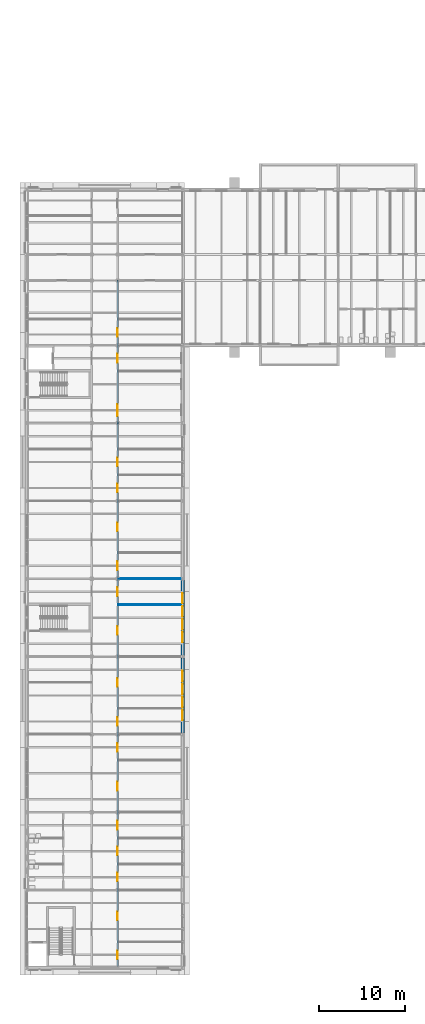
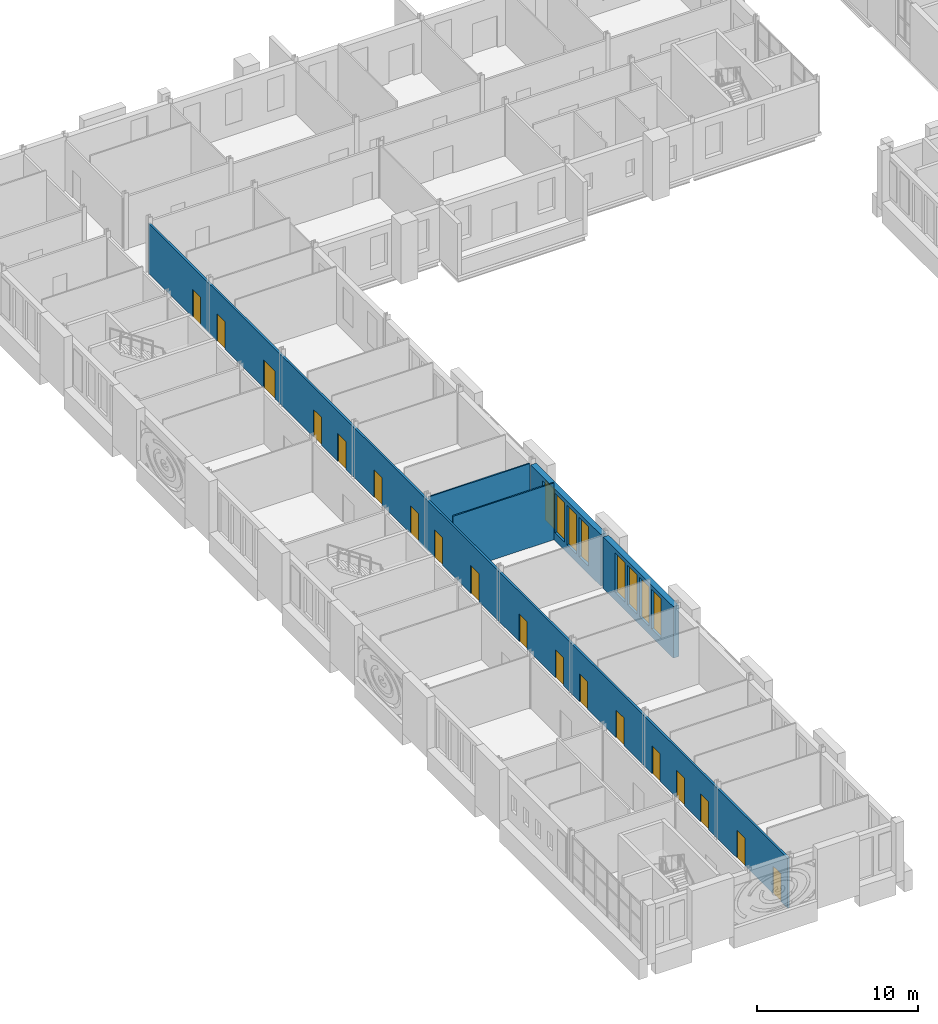
# One storey, part 74 of 131: 18 doors, 8 windows, 5 walls, 26 openings.
"""IFC4 building model written with IfcOpenShell, lengths in metres."""

from ifc_helpers import new_model, si_unit, direction, frame, frame_2d, origin, place, context, subcontext, project, spatial, rectangle, extrude, material, layer, layer_set, type_object, element, fill, save


model = new_model("IFC4")

# Units and contexts
model_context = context("Model", 3, precision=1e-05, world=origin(), true_north=direction((0.0, 1.0)))
body_context = subcontext(model_context, "Body", "Model", "MODEL_VIEW")
ifc_project = project(units=[si_unit("LENGTHUNIT", "METRE"), si_unit("AREAUNIT", "SQUARE_METRE"), si_unit("VOLUMEUNIT", "CUBIC_METRE"), si_unit("PLANEANGLEUNIT", "RADIAN"), si_unit("MASSUNIT", "GRAM", prefix="KILO")], contexts=[model_context])

# Site, building, storey
site_placement = place(None, origin())
site = spatial("IfcSite", under=ifc_project, at=site_placement, CompositionType="ELEMENT")
building_placement = place(site_placement, origin())
building = spatial("IfcBuilding", under=site, at=building_placement, Name="Golden Quay Civic Hall", CompositionType="ELEMENT")
storey_placement = place(building_placement, frame((0.0, 0.0, 9.89990234375)))
storey = spatial("IfcBuildingStorey", under=building, at=storey_placement, Name="L02", CompositionType="ELEMENT", Elevation=9.89990234375)

# Walls
ifc_material_1 = material(Name="Plasterboard on steel studs", Category="steel")
ifc_layer_1 = layer(ifc_material_1, 0.10009765625)
ifc_layer_set_1 = layer_set([ifc_layer_1], Name="Partition 100 stud")
wall_type_1 = type_object("IfcWallType", Name="Partition 100 stud", PredefinedType="PARTITIONING", material=ifc_layer_set_1)
wall_1_placement = place(storey_placement, frame((10.574951171875, 33.0, 0.0), z_axis=(0.0, 0.0, 1.0), x_axis=(1.0, 0.0, 0.0)))
element("IfcWall", 1, at=wall_1_placement, inside=storey, type_object=wall_type_1, Name="Partition L02-017", PredefinedType="PARTITIONING", context=body_context, shape_type="SweptSolid", body=[
    extrude(rectangle(XDim=7.22509765625, YDim=0.10009765625, at=frame_2d((3.612548828125, 0.0))), origin(), (0.0, 0.0, 1.0), 4.300048828125),
])
wall_2_placement = place(storey_placement, frame((10.574951171875, 36.0, 0.0), z_axis=(0.0, 0.0, 1.0), x_axis=(1.0, 0.0, 0.0)))
element("IfcWall", 2, at=wall_2_placement, inside=storey, type_object=wall_type_1, Name="Partition L02-018", PredefinedType="PARTITIONING", context=body_context, shape_type="SweptSolid", body=[
    extrude(rectangle(XDim=7.22509765625, YDim=0.10009765625, at=frame_2d((3.612548828125, 0.0))), origin(), (0.0, 0.0, 1.0), 3.9501953125),
])

# Wall, openings, doors
ifc_material_2 = material(Name="Plasterboard on steel studs", Category="steel")
ifc_layer_2 = layer(ifc_material_2, 0.14990234375)
ifc_layer_set_2 = layer_set([ifc_layer_2], Name="Partition 150 stud fire EI 60")
wall_type_2 = type_object("IfcWallType", Name="Partition 150 stud fire EI 60", PredefinedType="PARTITIONING", material=ifc_layer_set_2)
wall_3_placement = place(storey_placement, frame((10.5, -8.800048828125, 0.0), z_axis=(0.0, 0.0, 1.0), x_axis=(0.0, 1.0, 0.0)))
wall_3 = element("IfcWall", 3, at=wall_3_placement, inside=storey, type_object=wall_type_2, Name="Partition L02-028", PredefinedType="PARTITIONING", context=body_context, shape_type="SweptSolid", body=[
    extrude(rectangle(XDim=79.300048828125, YDim=0.14990234375, at=frame_2d((39.64990234375, 0.0))), origin(), (0.0, 0.0, 1.0), 3.780029296875),
])
opening_1_placement = place(wall_3_placement, frame((0.800048828125, 0.0, 0.0)))
opening_1 = element("IfcOpeningElement", 4, at=opening_1_placement, cuts=wall_3, Name="Opening L02-D030", PredefinedType="OPENING", context=body_context, shape_type="SweptSolid", body=[
    extrude(rectangle(XDim=1.0, YDim=2.10009765625, at=frame_2d((0.5, 1.050048828125))), frame((0.0, 0.0849609375, 0.0), z_axis=(0.0, -1.0, 0.0), x_axis=(1.0, 0.0, 0.0)), (0.0, 0.0, 1.0), 0.169921875),
])
opening_2_placement = place(wall_3_placement, frame((5.300048828125, 0.0, 0.0)))
opening_2 = element("IfcOpeningElement", 5, at=opening_2_placement, cuts=wall_3, Name="Opening L02-D031", PredefinedType="OPENING", context=body_context, shape_type="SweptSolid", body=[
    extrude(rectangle(XDim=1.0, YDim=2.10009765625, at=frame_2d((0.5, 1.050048828125))), frame((0.0, 0.0849609375, 0.0), z_axis=(0.0, -1.0, 0.0), x_axis=(1.0, 0.0, 0.0)), (0.0, 0.0, 1.0), 0.169921875),
])
opening_3_placement = place(wall_3_placement, frame((9.800048828125, 0.0, 0.0)))
opening_3 = element("IfcOpeningElement", 6, at=opening_3_placement, cuts=wall_3, Name="Opening L02-D032", PredefinedType="OPENING", context=body_context, shape_type="SweptSolid", body=[
    extrude(rectangle(XDim=1.0, YDim=2.10009765625, at=frame_2d((0.5, 1.050048828125))), frame((0.0, 0.0849609375, 0.0), z_axis=(0.0, -1.0, 0.0), x_axis=(1.0, 0.0, 0.0)), (0.0, 0.0, 1.0), 0.169921875),
])
opening_4_placement = place(wall_3_placement, frame((12.800048828125, 0.0, 0.0)))
opening_4 = element("IfcOpeningElement", 7, at=opening_4_placement, cuts=wall_3, Name="Opening L02-D033", PredefinedType="OPENING", context=body_context, shape_type="SweptSolid", body=[
    extrude(rectangle(XDim=1.0, YDim=2.10009765625, at=frame_2d((0.5, 1.050048828125))), frame((0.0, 0.0849609375, 0.0), z_axis=(0.0, -1.0, 0.0), x_axis=(1.0, 0.0, 0.0)), (0.0, 0.0, 1.0), 0.169921875),
])
opening_5_placement = place(wall_3_placement, frame((15.800048828125, 0.0, 0.0)))
opening_5 = element("IfcOpeningElement", 8, at=opening_5_placement, cuts=wall_3, Name="Opening L02-D034", PredefinedType="OPENING", context=body_context, shape_type="SweptSolid", body=[
    extrude(rectangle(XDim=1.0, YDim=2.10009765625, at=frame_2d((0.5, 1.050048828125))), frame((0.0, 0.0849609375, 0.0), z_axis=(0.0, -1.0, 0.0), x_axis=(1.0, 0.0, 0.0)), (0.0, 0.0, 1.0), 0.169921875),
])
opening_6_placement = place(wall_3_placement, frame((20.300048828125, 0.0, 0.0)))
opening_6 = element("IfcOpeningElement", 9, at=opening_6_placement, cuts=wall_3, Name="Opening L02-D035", PredefinedType="OPENING", context=body_context, shape_type="SweptSolid", body=[
    extrude(rectangle(XDim=1.0, YDim=2.10009765625, at=frame_2d((0.5, 1.050048828125))), frame((0.0, 0.0849609375, 0.0), z_axis=(0.0, -1.0, 0.0), x_axis=(1.0, 0.0, 0.0)), (0.0, 0.0, 1.0), 0.169921875),
])
opening_7_placement = place(wall_3_placement, frame((24.800048828125, 0.0, 0.0)))
opening_7 = element("IfcOpeningElement", 10, at=opening_7_placement, cuts=wall_3, Name="Opening L02-D036", PredefinedType="OPENING", context=body_context, shape_type="SweptSolid", body=[
    extrude(rectangle(XDim=1.0, YDim=2.10009765625, at=frame_2d((0.5, 1.050048828125))), frame((0.0, 0.0849609375, 0.0), z_axis=(0.0, -1.0, 0.0), x_axis=(1.0, 0.0, 0.0)), (0.0, 0.0, 1.0), 0.169921875),
])
opening_8_placement = place(wall_3_placement, frame((27.800048828125, 0.0, 0.0)))
opening_8 = element("IfcOpeningElement", 11, at=opening_8_placement, cuts=wall_3, Name="Opening L02-D037", PredefinedType="OPENING", context=body_context, shape_type="SweptSolid", body=[
    extrude(rectangle(XDim=1.0, YDim=2.10009765625, at=frame_2d((0.5, 1.050048828125))), frame((0.0, 0.0849609375, 0.0), z_axis=(0.0, -1.0, 0.0), x_axis=(1.0, 0.0, 0.0)), (0.0, 0.0, 1.0), 0.169921875),
])
opening_9_placement = place(wall_3_placement, frame((32.300048828125, 0.0, 0.0)))
opening_9 = element("IfcOpeningElement", 12, at=opening_9_placement, cuts=wall_3, Name="Opening L02-D038", PredefinedType="OPENING", context=body_context, shape_type="SweptSolid", body=[
    extrude(rectangle(XDim=1.0, YDim=2.10009765625, at=frame_2d((0.5, 1.050048828125))), frame((0.0, 0.0849609375, 0.0), z_axis=(0.0, -1.0, 0.0), x_axis=(1.0, 0.0, 0.0)), (0.0, 0.0, 1.0), 0.169921875),
])
opening_10_placement = place(wall_3_placement, frame((38.300048828125, 0.0, 0.0)))
opening_10 = element("IfcOpeningElement", 13, at=opening_10_placement, cuts=wall_3, Name="Opening L02-D039", PredefinedType="OPENING", context=body_context, shape_type="SweptSolid", body=[
    extrude(rectangle(XDim=1.0, YDim=2.10009765625, at=frame_2d((0.5, 1.050048828125))), frame((0.0, 0.0849609375, 0.0), z_axis=(0.0, -1.0, 0.0), x_axis=(1.0, 0.0, 0.0)), (0.0, 0.0, 1.0), 0.169921875),
])
opening_11_placement = place(wall_3_placement, frame((42.800048828125, 0.0, 0.0)))
opening_11 = element("IfcOpeningElement", 14, at=opening_11_placement, cuts=wall_3, Name="Opening L02-D040", PredefinedType="OPENING", context=body_context, shape_type="SweptSolid", body=[
    extrude(rectangle(XDim=1.0, YDim=2.10009765625, at=frame_2d((0.5, 1.050048828125))), frame((0.0, 0.0849609375, 0.0), z_axis=(0.0, -1.0, 0.0), x_axis=(1.0, 0.0, 0.0)), (0.0, 0.0, 1.0), 0.169921875),
])
opening_12_placement = place(wall_3_placement, frame((45.800048828125, 0.0, 0.0)))
opening_12 = element("IfcOpeningElement", 15, at=opening_12_placement, cuts=wall_3, Name="Opening L02-D041", PredefinedType="OPENING", context=body_context, shape_type="SweptSolid", body=[
    extrude(rectangle(XDim=1.0, YDim=2.10009765625, at=frame_2d((0.5, 1.050048828125))), frame((0.0, 0.0849609375, 0.0), z_axis=(0.0, -1.0, 0.0), x_axis=(1.0, 0.0, 0.0)), (0.0, 0.0, 1.0), 0.169921875),
])
opening_13_placement = place(wall_3_placement, frame((50.300048828125, 0.0, 0.0)))
opening_13 = element("IfcOpeningElement", 16, at=opening_13_placement, cuts=wall_3, Name="Opening L02-D042", PredefinedType="OPENING", context=body_context, shape_type="SweptSolid", body=[
    extrude(rectangle(XDim=1.0, YDim=2.10009765625, at=frame_2d((0.5, 1.050048828125))), frame((0.0, 0.0849609375, 0.0), z_axis=(0.0, -1.0, 0.0), x_axis=(1.0, 0.0, 0.0)), (0.0, 0.0, 1.0), 0.169921875),
])
opening_14_placement = place(wall_3_placement, frame((54.800048828125, 0.0, 0.0)))
opening_14 = element("IfcOpeningElement", 17, at=opening_14_placement, cuts=wall_3, Name="Opening L02-D043", PredefinedType="OPENING", context=body_context, shape_type="SweptSolid", body=[
    extrude(rectangle(XDim=1.0, YDim=2.10009765625, at=frame_2d((0.5, 1.050048828125))), frame((0.0, 0.0849609375, 0.0), z_axis=(0.0, -1.0, 0.0), x_axis=(1.0, 0.0, 0.0)), (0.0, 0.0, 1.0), 0.169921875),
])
opening_15_placement = place(wall_3_placement, frame((57.800048828125, 0.0, 0.0)))
opening_15 = element("IfcOpeningElement", 18, at=opening_15_placement, cuts=wall_3, Name="Opening L02-D044", PredefinedType="OPENING", context=body_context, shape_type="SweptSolid", body=[
    extrude(rectangle(XDim=1.0, YDim=2.10009765625, at=frame_2d((0.5, 1.050048828125))), frame((0.0, 0.0849609375, 0.0), z_axis=(0.0, -1.0, 0.0), x_axis=(1.0, 0.0, 0.0)), (0.0, 0.0, 1.0), 0.169921875),
])
opening_16_placement = place(wall_3_placement, frame((63.60009765625, 0.0, 0.0)))
opening_16 = element("IfcOpeningElement", 19, at=opening_16_placement, cuts=wall_3, Name="Opening L02-D045", PredefinedType="OPENING", context=body_context, shape_type="SweptSolid", body=[
    extrude(rectangle(XDim=1.39990234375, YDim=2.10009765625, at=frame_2d((0.699951171875, 1.050048828125))), frame((0.0, 0.0849609375, 0.0), z_axis=(0.0, -1.0, 0.0), x_axis=(1.0, 0.0, 0.0)), (0.0, 0.0, 1.0), 0.169921875),
])
opening_17_placement = place(wall_3_placement, frame((69.800048828125, 0.0, 0.0)))
opening_17 = element("IfcOpeningElement", 20, at=opening_17_placement, cuts=wall_3, Name="Opening L02-D046", PredefinedType="OPENING", context=body_context, shape_type="SweptSolid", body=[
    extrude(rectangle(XDim=1.0, YDim=2.10009765625, at=frame_2d((0.5, 1.050048828125))), frame((0.0, 0.0849609375, 0.0), z_axis=(0.0, -1.0, 0.0), x_axis=(1.0, 0.0, 0.0)), (0.0, 0.0, 1.0), 0.169921875),
])
opening_18_placement = place(wall_3_placement, frame((72.800048828125, 0.0, 0.0)))
opening_18 = element("IfcOpeningElement", 21, at=opening_18_placement, cuts=wall_3, Name="Opening L02-D061", PredefinedType="OPENING", context=body_context, shape_type="SweptSolid", body=[
    extrude(rectangle(XDim=1.0, YDim=2.10009765625, at=frame_2d((0.5, 1.050048828125))), frame((0.0, 0.0849609375, 0.0), z_axis=(0.0, -1.0, 0.0), x_axis=(1.0, 0.0, 0.0)), (0.0, 0.0, 1.0), 0.169921875),
])
ifc_material_3 = material(Name="Steel", Category="steel")
door_type_1 = type_object("IfcDoorType", Name="Steel double fire door FD30S 1400 x 2100", OperationType="DOUBLE_DOOR_SINGLE_SWING", PredefinedType="DOOR", material=ifc_material_3)
door_1_placement = place(opening_16_placement, frame((1.39990234375, 0.0, 0.0), z_axis=(0.0, 0.0, 1.0), x_axis=(-1.0, 0.0, 0.0)))
door_1 = element("IfcDoor", 22, at=door_1_placement, inside=storey, type_object=door_type_1, Name="Door L02-D045", OperationType="DOUBLE_DOOR_SINGLE_SWING", OverallHeight=2.10009765625, OverallWidth=1.39990234375, PredefinedType="DOOR", context=body_context, shape_type="SweptSolid", body=[
    extrude(rectangle(XDim=1.39990234375, YDim=2.10009765625, at=frame_2d((0.699951171875, 1.050048828125))), frame((0.0, 0.025146484375, 0.0), z_axis=(0.0, -1.0, 0.0), x_axis=(1.0, 0.0, 0.0)), (0.0, 0.0, 1.0), 0.050048828125),
])
fill(opening_16, door_1)
ifc_material_4 = material(Name="Steel", Category="steel")
door_type_2 = type_object("IfcDoorType", Name="Steel fire door FD30S 1000 x 2100", OperationType="SINGLE_SWING_LEFT", PredefinedType="DOOR", material=ifc_material_4)
door_2_placement = place(opening_1_placement, frame((1.0, 0.0, 0.0), z_axis=(0.0, 0.0, 1.0), x_axis=(-1.0, 0.0, 0.0)))
door_2 = element("IfcDoor", 23, at=door_2_placement, inside=storey, type_object=door_type_2, Name="Door L02-D030", OperationType="SINGLE_SWING_RIGHT", OverallHeight=2.10009765625, OverallWidth=1.0, PredefinedType="DOOR", context=body_context, shape_type="SweptSolid", body=[
    extrude(rectangle(XDim=1.0, YDim=2.10009765625, at=frame_2d((0.5, 1.050048828125))), frame((0.0, 0.025146484375, 0.0), z_axis=(0.0, -1.0, 0.0), x_axis=(1.0, 0.0, 0.0)), (0.0, 0.0, 1.0), 0.050048828125),
])
fill(opening_1, door_2)
door_3_placement = place(opening_2_placement, frame((1.0, 0.0, 0.0), z_axis=(0.0, 0.0, 1.0), x_axis=(-1.0, 0.0, 0.0)))
door_3 = element("IfcDoor", 24, at=door_3_placement, inside=storey, type_object=door_type_2, Name="Door L02-D031", OperationType="SINGLE_SWING_RIGHT", OverallHeight=2.10009765625, OverallWidth=1.0, PredefinedType="DOOR", context=body_context, shape_type="SweptSolid", body=[
    extrude(rectangle(XDim=1.0, YDim=2.10009765625, at=frame_2d((0.5, 1.050048828125))), frame((0.0, 0.025146484375, 0.0), z_axis=(0.0, -1.0, 0.0), x_axis=(1.0, 0.0, 0.0)), (0.0, 0.0, 1.0), 0.050048828125),
])
fill(opening_2, door_3)
door_4_placement = place(opening_3_placement, frame((1.0, 0.0, 0.0), z_axis=(0.0, 0.0, 1.0), x_axis=(-1.0, 0.0, 0.0)))
door_4 = element("IfcDoor", 25, at=door_4_placement, inside=storey, type_object=door_type_2, Name="Door L02-D032", OperationType="SINGLE_SWING_RIGHT", OverallHeight=2.10009765625, OverallWidth=1.0, PredefinedType="DOOR", context=body_context, shape_type="SweptSolid", body=[
    extrude(rectangle(XDim=1.0, YDim=2.10009765625, at=frame_2d((0.5, 1.050048828125))), frame((0.0, 0.025146484375, 0.0), z_axis=(0.0, -1.0, 0.0), x_axis=(1.0, 0.0, 0.0)), (0.0, 0.0, 1.0), 0.050048828125),
])
fill(opening_3, door_4)
door_5_placement = place(opening_4_placement, frame((1.0, 0.0, 0.0), z_axis=(0.0, 0.0, 1.0), x_axis=(-1.0, 0.0, 0.0)))
door_5 = element("IfcDoor", 26, at=door_5_placement, inside=storey, type_object=door_type_2, Name="Door L02-D033", OperationType="SINGLE_SWING_RIGHT", OverallHeight=2.10009765625, OverallWidth=1.0, PredefinedType="DOOR", context=body_context, shape_type="SweptSolid", body=[
    extrude(rectangle(XDim=1.0, YDim=2.10009765625, at=frame_2d((0.5, 1.050048828125))), frame((0.0, 0.025146484375, 0.0), z_axis=(0.0, -1.0, 0.0), x_axis=(1.0, 0.0, 0.0)), (0.0, 0.0, 1.0), 0.050048828125),
])
fill(opening_4, door_5)
door_6_placement = place(opening_5_placement, frame((1.0, 0.0, 0.0), z_axis=(0.0, 0.0, 1.0), x_axis=(-1.0, 0.0, 0.0)))
door_6 = element("IfcDoor", 27, at=door_6_placement, inside=storey, type_object=door_type_2, Name="Door L02-D034", OperationType="SINGLE_SWING_RIGHT", OverallHeight=2.10009765625, OverallWidth=1.0, PredefinedType="DOOR", context=body_context, shape_type="SweptSolid", body=[
    extrude(rectangle(XDim=1.0, YDim=2.10009765625, at=frame_2d((0.5, 1.050048828125))), frame((0.0, 0.025146484375, 0.0), z_axis=(0.0, -1.0, 0.0), x_axis=(1.0, 0.0, 0.0)), (0.0, 0.0, 1.0), 0.050048828125),
])
fill(opening_5, door_6)
door_7_placement = place(opening_6_placement, frame((1.0, 0.0, 0.0), z_axis=(0.0, 0.0, 1.0), x_axis=(-1.0, 0.0, 0.0)))
door_7 = element("IfcDoor", 28, at=door_7_placement, inside=storey, type_object=door_type_2, Name="Door L02-D035", OperationType="SINGLE_SWING_RIGHT", OverallHeight=2.10009765625, OverallWidth=1.0, PredefinedType="DOOR", context=body_context, shape_type="SweptSolid", body=[
    extrude(rectangle(XDim=1.0, YDim=2.10009765625, at=frame_2d((0.5, 1.050048828125))), frame((0.0, 0.025146484375, 0.0), z_axis=(0.0, -1.0, 0.0), x_axis=(1.0, 0.0, 0.0)), (0.0, 0.0, 1.0), 0.050048828125),
])
fill(opening_6, door_7)
door_8_placement = place(opening_7_placement, frame((1.0, 0.0, 0.0), z_axis=(0.0, 0.0, 1.0), x_axis=(-1.0, 0.0, 0.0)))
door_8 = element("IfcDoor", 29, at=door_8_placement, inside=storey, type_object=door_type_2, Name="Door L02-D036", OperationType="SINGLE_SWING_RIGHT", OverallHeight=2.10009765625, OverallWidth=1.0, PredefinedType="DOOR", context=body_context, shape_type="SweptSolid", body=[
    extrude(rectangle(XDim=1.0, YDim=2.10009765625, at=frame_2d((0.5, 1.050048828125))), frame((0.0, 0.025146484375, 0.0), z_axis=(0.0, -1.0, 0.0), x_axis=(1.0, 0.0, 0.0)), (0.0, 0.0, 1.0), 0.050048828125),
])
fill(opening_7, door_8)
door_9_placement = place(opening_8_placement, frame((1.0, 0.0, 0.0), z_axis=(0.0, 0.0, 1.0), x_axis=(-1.0, 0.0, 0.0)))
door_9 = element("IfcDoor", 30, at=door_9_placement, inside=storey, type_object=door_type_2, Name="Door L02-D037", OperationType="SINGLE_SWING_RIGHT", OverallHeight=2.10009765625, OverallWidth=1.0, PredefinedType="DOOR", context=body_context, shape_type="SweptSolid", body=[
    extrude(rectangle(XDim=1.0, YDim=2.10009765625, at=frame_2d((0.5, 1.050048828125))), frame((0.0, 0.025146484375, 0.0), z_axis=(0.0, -1.0, 0.0), x_axis=(1.0, 0.0, 0.0)), (0.0, 0.0, 1.0), 0.050048828125),
])
fill(opening_8, door_9)
door_10_placement = place(opening_9_placement, frame((1.0, 0.0, 0.0), z_axis=(0.0, 0.0, 1.0), x_axis=(-1.0, 0.0, 0.0)))
door_10 = element("IfcDoor", 31, at=door_10_placement, inside=storey, type_object=door_type_2, Name="Door L02-D038", OperationType="SINGLE_SWING_RIGHT", OverallHeight=2.10009765625, OverallWidth=1.0, PredefinedType="DOOR", context=body_context, shape_type="SweptSolid", body=[
    extrude(rectangle(XDim=1.0, YDim=2.10009765625, at=frame_2d((0.5, 1.050048828125))), frame((0.0, 0.025146484375, 0.0), z_axis=(0.0, -1.0, 0.0), x_axis=(1.0, 0.0, 0.0)), (0.0, 0.0, 1.0), 0.050048828125),
])
fill(opening_9, door_10)
door_11_placement = place(opening_10_placement, frame((1.0, 0.0, 0.0), z_axis=(0.0, 0.0, 1.0), x_axis=(-1.0, 0.0, 0.0)))
door_11 = element("IfcDoor", 32, at=door_11_placement, inside=storey, type_object=door_type_2, Name="Door L02-D039", OperationType="SINGLE_SWING_RIGHT", OverallHeight=2.10009765625, OverallWidth=1.0, PredefinedType="DOOR", context=body_context, shape_type="SweptSolid", body=[
    extrude(rectangle(XDim=1.0, YDim=2.10009765625, at=frame_2d((0.5, 1.050048828125))), frame((0.0, 0.025146484375, 0.0), z_axis=(0.0, -1.0, 0.0), x_axis=(1.0, 0.0, 0.0)), (0.0, 0.0, 1.0), 0.050048828125),
])
fill(opening_10, door_11)
door_12_placement = place(opening_11_placement, frame((1.0, 0.0, 0.0), z_axis=(0.0, 0.0, 1.0), x_axis=(-1.0, 0.0, 0.0)))
door_12 = element("IfcDoor", 33, at=door_12_placement, inside=storey, type_object=door_type_2, Name="Door L02-D040", OperationType="SINGLE_SWING_RIGHT", OverallHeight=2.10009765625, OverallWidth=1.0, PredefinedType="DOOR", context=body_context, shape_type="SweptSolid", body=[
    extrude(rectangle(XDim=1.0, YDim=2.10009765625, at=frame_2d((0.5, 1.050048828125))), frame((0.0, 0.025146484375, 0.0), z_axis=(0.0, -1.0, 0.0), x_axis=(1.0, 0.0, 0.0)), (0.0, 0.0, 1.0), 0.050048828125),
])
fill(opening_11, door_12)
door_13_placement = place(opening_12_placement, frame((1.0, 0.0, 0.0), z_axis=(0.0, 0.0, 1.0), x_axis=(-1.0, 0.0, 0.0)))
door_13 = element("IfcDoor", 34, at=door_13_placement, inside=storey, type_object=door_type_2, Name="Door L02-D041", OperationType="SINGLE_SWING_RIGHT", OverallHeight=2.10009765625, OverallWidth=1.0, PredefinedType="DOOR", context=body_context, shape_type="SweptSolid", body=[
    extrude(rectangle(XDim=1.0, YDim=2.10009765625, at=frame_2d((0.5, 1.050048828125))), frame((0.0, 0.025146484375, 0.0), z_axis=(0.0, -1.0, 0.0), x_axis=(1.0, 0.0, 0.0)), (0.0, 0.0, 1.0), 0.050048828125),
])
fill(opening_12, door_13)
door_14_placement = place(opening_13_placement, frame((1.0, 0.0, 0.0), z_axis=(0.0, 0.0, 1.0), x_axis=(-1.0, 0.0, 0.0)))
door_14 = element("IfcDoor", 35, at=door_14_placement, inside=storey, type_object=door_type_2, Name="Door L02-D042", OperationType="SINGLE_SWING_RIGHT", OverallHeight=2.10009765625, OverallWidth=1.0, PredefinedType="DOOR", context=body_context, shape_type="SweptSolid", body=[
    extrude(rectangle(XDim=1.0, YDim=2.10009765625, at=frame_2d((0.5, 1.050048828125))), frame((0.0, 0.025146484375, 0.0), z_axis=(0.0, -1.0, 0.0), x_axis=(1.0, 0.0, 0.0)), (0.0, 0.0, 1.0), 0.050048828125),
])
fill(opening_13, door_14)
door_15_placement = place(opening_14_placement, frame((1.0, 0.0, 0.0), z_axis=(0.0, 0.0, 1.0), x_axis=(-1.0, 0.0, 0.0)))
door_15 = element("IfcDoor", 36, at=door_15_placement, inside=storey, type_object=door_type_2, Name="Door L02-D043", OperationType="SINGLE_SWING_RIGHT", OverallHeight=2.10009765625, OverallWidth=1.0, PredefinedType="DOOR", context=body_context, shape_type="SweptSolid", body=[
    extrude(rectangle(XDim=1.0, YDim=2.10009765625, at=frame_2d((0.5, 1.050048828125))), frame((0.0, 0.025146484375, 0.0), z_axis=(0.0, -1.0, 0.0), x_axis=(1.0, 0.0, 0.0)), (0.0, 0.0, 1.0), 0.050048828125),
])
fill(opening_14, door_15)
door_16_placement = place(opening_15_placement, frame((1.0, 0.0, 0.0), z_axis=(0.0, 0.0, 1.0), x_axis=(-1.0, 0.0, 0.0)))
door_16 = element("IfcDoor", 37, at=door_16_placement, inside=storey, type_object=door_type_2, Name="Door L02-D044", OperationType="SINGLE_SWING_RIGHT", OverallHeight=2.10009765625, OverallWidth=1.0, PredefinedType="DOOR", context=body_context, shape_type="SweptSolid", body=[
    extrude(rectangle(XDim=1.0, YDim=2.10009765625, at=frame_2d((0.5, 1.050048828125))), frame((0.0, 0.025146484375, 0.0), z_axis=(0.0, -1.0, 0.0), x_axis=(1.0, 0.0, 0.0)), (0.0, 0.0, 1.0), 0.050048828125),
])
fill(opening_15, door_16)
door_17_placement = place(opening_17_placement, frame((1.0, 0.0, 0.0), z_axis=(0.0, 0.0, 1.0), x_axis=(-1.0, 0.0, 0.0)))
door_17 = element("IfcDoor", 38, at=door_17_placement, inside=storey, type_object=door_type_2, Name="Door L02-D046", OperationType="SINGLE_SWING_RIGHT", OverallHeight=2.10009765625, OverallWidth=1.0, PredefinedType="DOOR", context=body_context, shape_type="SweptSolid", body=[
    extrude(rectangle(XDim=1.0, YDim=2.10009765625, at=frame_2d((0.5, 1.050048828125))), frame((0.0, 0.025146484375, 0.0), z_axis=(0.0, -1.0, 0.0), x_axis=(1.0, 0.0, 0.0)), (0.0, 0.0, 1.0), 0.050048828125),
])
fill(opening_17, door_17)
door_18_placement = place(opening_18_placement, frame((1.0, 0.0, 0.0), z_axis=(0.0, 0.0, 1.0), x_axis=(-1.0, 0.0, 0.0)))
door_18 = element("IfcDoor", 39, at=door_18_placement, inside=storey, type_object=door_type_2, Name="Door L02-D061", OperationType="SINGLE_SWING_RIGHT", OverallHeight=2.10009765625, OverallWidth=1.0, PredefinedType="DOOR", context=body_context, shape_type="SweptSolid", body=[
    extrude(rectangle(XDim=1.0, YDim=2.10009765625, at=frame_2d((0.5, 1.050048828125))), frame((0.0, 0.025146484375, 0.0), z_axis=(0.0, -1.0, 0.0), x_axis=(1.0, 0.0, 0.0)), (0.0, 0.0, 1.0), 0.050048828125),
])
fill(opening_18, door_18)

# Wall, openings, windows
ifc_material_5 = material(Name="Clay block, rendered, cream")
ifc_layer_3 = layer(ifc_material_5, 0.39990234375)
ifc_layer_set_3 = layer_set([ifc_layer_3], Name="Rendered block external wall 400")
wall_type_3 = type_object("IfcWallType", Name="Rendered block external wall 400", PredefinedType="STANDARD", material=ifc_layer_set_3)
wall_4_placement = place(storey_placement, frame((18.0, 26.85498046875, 0.0), z_axis=(0.0, 0.0, 1.0), x_axis=(0.0, -1.0, 0.0)))
wall_4 = element("IfcWall", 40, at=wall_4_placement, inside=storey, type_object=wall_type_3, Name="Rendered block external wall 400 L02 15", PredefinedType="STANDARD", context=body_context, shape_type="SweptSolid", body=[
    extrude(rectangle(XDim=8.7099609375, YDim=0.39990234375, at=frame_2d((4.35498046875, 0.0))), origin(), (0.0, 0.0, 1.0), 3.900146484375),
])
opening_19_placement = place(wall_4_placement, frame((6.0048828125, 0.0, 0.60009765625)))
opening_19 = element("IfcOpeningElement", 41, at=opening_19_placement, cuts=wall_4, Name="Opening WN5", PredefinedType="OPENING", context=body_context, shape_type="SweptSolid", body=[
    extrude(rectangle(XDim=1.199951171875, YDim=3.0, at=frame_2d((0.60009765625, 1.5))), frame((0.0, 0.2099609375, 0.0), z_axis=(0.0, -1.0, 0.0), x_axis=(1.0, 0.0, 0.0)), (0.0, 0.0, 1.0), 0.419921875),
])
opening_20_placement = place(wall_4_placement, frame((4.5048828125, 0.0, 0.60009765625)))
opening_20 = element("IfcOpeningElement", 42, at=opening_20_placement, cuts=wall_4, Name="Opening WN5", PredefinedType="OPENING", context=body_context, shape_type="SweptSolid", body=[
    extrude(rectangle(XDim=1.199951171875, YDim=3.0, at=frame_2d((0.60009765625, 1.5))), frame((0.0, 0.2099609375, 0.0), z_axis=(0.0, -1.0, 0.0), x_axis=(1.0, 0.0, 0.0)), (0.0, 0.0, 1.0), 0.419921875),
])
opening_21_placement = place(wall_4_placement, frame((3.0048828125, 0.0, 0.60009765625)))
opening_21 = element("IfcOpeningElement", 43, at=opening_21_placement, cuts=wall_4, Name="Opening WN5", PredefinedType="OPENING", context=body_context, shape_type="SweptSolid", body=[
    extrude(rectangle(XDim=1.199951171875, YDim=3.0, at=frame_2d((0.60009765625, 1.5))), frame((0.0, 0.2099609375, 0.0), z_axis=(0.0, -1.0, 0.0), x_axis=(1.0, 0.0, 0.0)), (0.0, 0.0, 1.0), 0.419921875),
])
opening_22_placement = place(wall_4_placement, frame((1.5048828125, 0.0, 0.60009765625)))
opening_22 = element("IfcOpeningElement", 44, at=opening_22_placement, cuts=wall_4, Name="Opening WN5", PredefinedType="OPENING", context=body_context, shape_type="SweptSolid", body=[
    extrude(rectangle(XDim=1.199951171875, YDim=3.0, at=frame_2d((0.60009765625, 1.5))), frame((0.0, 0.2099609375, 0.0), z_axis=(0.0, -1.0, 0.0), x_axis=(1.0, 0.0, 0.0)), (0.0, 0.0, 1.0), 0.419921875),
])
ifc_material_6 = material(Name="Aluminium frame, double glazed", Category="aluminium")
window_type = type_object("IfcWindowType", Name="Golden grid window 1200 x 3000", PartitioningType="SINGLE_PANEL", PredefinedType="WINDOW", material=ifc_material_6)
window_1_placement = place(opening_19_placement, origin())
window_1 = element("IfcWindow", 45, at=window_1_placement, inside=storey, type_object=window_type, Name="Golden grid window 1200 x 3000 L02 25", OverallHeight=3.0, OverallWidth=1.199951171875, PartitioningType="SINGLE_PANEL", PredefinedType="WINDOW", context=body_context, shape_type="SweptSolid", body=[
    extrude(rectangle(XDim=1.199951171875, YDim=3.0, at=frame_2d((0.60009765625, 1.5))), frame((0.0, 0.030029296875, 0.0), z_axis=(0.0, -1.0, 0.0), x_axis=(1.0, 0.0, 0.0)), (0.0, 0.0, 1.0), 0.06005859375),
])
fill(opening_19, window_1)
window_2_placement = place(opening_20_placement, origin())
window_2 = element("IfcWindow", 46, at=window_2_placement, inside=storey, type_object=window_type, Name="Golden grid window 1200 x 3000 L02 26", OverallHeight=3.0, OverallWidth=1.199951171875, PartitioningType="SINGLE_PANEL", PredefinedType="WINDOW", context=body_context, shape_type="SweptSolid", body=[
    extrude(rectangle(XDim=1.199951171875, YDim=3.0, at=frame_2d((0.60009765625, 1.5))), frame((0.0, 0.030029296875, 0.0), z_axis=(0.0, -1.0, 0.0), x_axis=(1.0, 0.0, 0.0)), (0.0, 0.0, 1.0), 0.06005859375),
])
fill(opening_20, window_2)
window_3_placement = place(opening_21_placement, origin())
window_3 = element("IfcWindow", 47, at=window_3_placement, inside=storey, type_object=window_type, Name="Golden grid window 1200 x 3000 L02 27", OverallHeight=3.0, OverallWidth=1.199951171875, PartitioningType="SINGLE_PANEL", PredefinedType="WINDOW", context=body_context, shape_type="SweptSolid", body=[
    extrude(rectangle(XDim=1.199951171875, YDim=3.0, at=frame_2d((0.60009765625, 1.5))), frame((0.0, 0.030029296875, 0.0), z_axis=(0.0, -1.0, 0.0), x_axis=(1.0, 0.0, 0.0)), (0.0, 0.0, 1.0), 0.06005859375),
])
fill(opening_21, window_3)
window_4_placement = place(opening_22_placement, origin())
window_4 = element("IfcWindow", 48, at=window_4_placement, inside=storey, type_object=window_type, Name="Golden grid window 1200 x 3000 L02 28", OverallHeight=3.0, OverallWidth=1.199951171875, PartitioningType="SINGLE_PANEL", PredefinedType="WINDOW", context=body_context, shape_type="SweptSolid", body=[
    extrude(rectangle(XDim=1.199951171875, YDim=3.0, at=frame_2d((0.60009765625, 1.5))), frame((0.0, 0.030029296875, 0.0), z_axis=(0.0, -1.0, 0.0), x_axis=(1.0, 0.0, 0.0)), (0.0, 0.0, 1.0), 0.06005859375),
])
fill(opening_22, window_4)

wall_5_placement = place(storey_placement, frame((18.0, 35.85498046875, 0.0), z_axis=(0.0, 0.0, 1.0), x_axis=(0.0, -1.0, 0.0)))
wall_5 = element("IfcWall", 49, at=wall_5_placement, inside=storey, type_object=wall_type_3, Name="Rendered block external wall 400 L02 16", PredefinedType="STANDARD", context=body_context, shape_type="SweptSolid", body=[
    extrude(rectangle(XDim=8.7099609375, YDim=0.39990234375, at=frame_2d((4.35498046875, 0.0))), origin(), (0.0, 0.0, 1.0), 3.900146484375),
])
opening_23_placement = place(wall_5_placement, frame((6.0048828125, 0.0, 0.60009765625)))
opening_23 = element("IfcOpeningElement", 50, at=opening_23_placement, cuts=wall_5, Name="Opening WN5", PredefinedType="OPENING", context=body_context, shape_type="SweptSolid", body=[
    extrude(rectangle(XDim=1.199951171875, YDim=3.0, at=frame_2d((0.60009765625, 1.5))), frame((0.0, 0.2099609375, 0.0), z_axis=(0.0, -1.0, 0.0), x_axis=(1.0, 0.0, 0.0)), (0.0, 0.0, 1.0), 0.419921875),
])
opening_24_placement = place(wall_5_placement, frame((4.5048828125, 0.0, 0.60009765625)))
opening_24 = element("IfcOpeningElement", 51, at=opening_24_placement, cuts=wall_5, Name="Opening WN5", PredefinedType="OPENING", context=body_context, shape_type="SweptSolid", body=[
    extrude(rectangle(XDim=1.199951171875, YDim=3.0, at=frame_2d((0.60009765625, 1.5))), frame((0.0, 0.2099609375, 0.0), z_axis=(0.0, -1.0, 0.0), x_axis=(1.0, 0.0, 0.0)), (0.0, 0.0, 1.0), 0.419921875),
])
opening_25_placement = place(wall_5_placement, frame((3.0048828125, 0.0, 0.60009765625)))
opening_25 = element("IfcOpeningElement", 52, at=opening_25_placement, cuts=wall_5, Name="Opening WN5", PredefinedType="OPENING", context=body_context, shape_type="SweptSolid", body=[
    extrude(rectangle(XDim=1.199951171875, YDim=3.0, at=frame_2d((0.60009765625, 1.5))), frame((0.0, 0.2099609375, 0.0), z_axis=(0.0, -1.0, 0.0), x_axis=(1.0, 0.0, 0.0)), (0.0, 0.0, 1.0), 0.419921875),
])
opening_26_placement = place(wall_5_placement, frame((1.5048828125, 0.0, 0.60009765625)))
opening_26 = element("IfcOpeningElement", 53, at=opening_26_placement, cuts=wall_5, Name="Opening WN5", PredefinedType="OPENING", context=body_context, shape_type="SweptSolid", body=[
    extrude(rectangle(XDim=1.199951171875, YDim=3.0, at=frame_2d((0.60009765625, 1.5))), frame((0.0, 0.2099609375, 0.0), z_axis=(0.0, -1.0, 0.0), x_axis=(1.0, 0.0, 0.0)), (0.0, 0.0, 1.0), 0.419921875),
])
window_5_placement = place(opening_23_placement, origin())
window_5 = element("IfcWindow", 54, at=window_5_placement, inside=storey, type_object=window_type, Name="Golden grid window 1200 x 3000 L02 29", OverallHeight=3.0, OverallWidth=1.199951171875, PartitioningType="SINGLE_PANEL", PredefinedType="WINDOW", context=body_context, shape_type="SweptSolid", body=[
    extrude(rectangle(XDim=1.199951171875, YDim=3.0, at=frame_2d((0.60009765625, 1.5))), frame((0.0, 0.030029296875, 0.0), z_axis=(0.0, -1.0, 0.0), x_axis=(1.0, 0.0, 0.0)), (0.0, 0.0, 1.0), 0.06005859375),
])
fill(opening_23, window_5)
window_6_placement = place(opening_24_placement, origin())
window_6 = element("IfcWindow", 55, at=window_6_placement, inside=storey, type_object=window_type, Name="Golden grid window 1200 x 3000 L02 30", OverallHeight=3.0, OverallWidth=1.199951171875, PartitioningType="SINGLE_PANEL", PredefinedType="WINDOW", context=body_context, shape_type="SweptSolid", body=[
    extrude(rectangle(XDim=1.199951171875, YDim=3.0, at=frame_2d((0.60009765625, 1.5))), frame((0.0, 0.030029296875, 0.0), z_axis=(0.0, -1.0, 0.0), x_axis=(1.0, 0.0, 0.0)), (0.0, 0.0, 1.0), 0.06005859375),
])
fill(opening_24, window_6)
window_7_placement = place(opening_25_placement, origin())
window_7 = element("IfcWindow", 56, at=window_7_placement, inside=storey, type_object=window_type, Name="Golden grid window 1200 x 3000 L02 31", OverallHeight=3.0, OverallWidth=1.199951171875, PartitioningType="SINGLE_PANEL", PredefinedType="WINDOW", context=body_context, shape_type="SweptSolid", body=[
    extrude(rectangle(XDim=1.199951171875, YDim=3.0, at=frame_2d((0.60009765625, 1.5))), frame((0.0, 0.030029296875, 0.0), z_axis=(0.0, -1.0, 0.0), x_axis=(1.0, 0.0, 0.0)), (0.0, 0.0, 1.0), 0.06005859375),
])
fill(opening_25, window_7)
window_8_placement = place(opening_26_placement, origin())
window_8 = element("IfcWindow", 57, at=window_8_placement, inside=storey, type_object=window_type, Name="Golden grid window 1200 x 3000 L02 32", OverallHeight=3.0, OverallWidth=1.199951171875, PartitioningType="SINGLE_PANEL", PredefinedType="WINDOW", context=body_context, shape_type="SweptSolid", body=[
    extrude(rectangle(XDim=1.199951171875, YDim=3.0, at=frame_2d((0.60009765625, 1.5))), frame((0.0, 0.030029296875, 0.0), z_axis=(0.0, -1.0, 0.0), x_axis=(1.0, 0.0, 0.0)), (0.0, 0.0, 1.0), 0.06005859375),
])
fill(opening_26, window_8)

save(model, "model.ifc")
